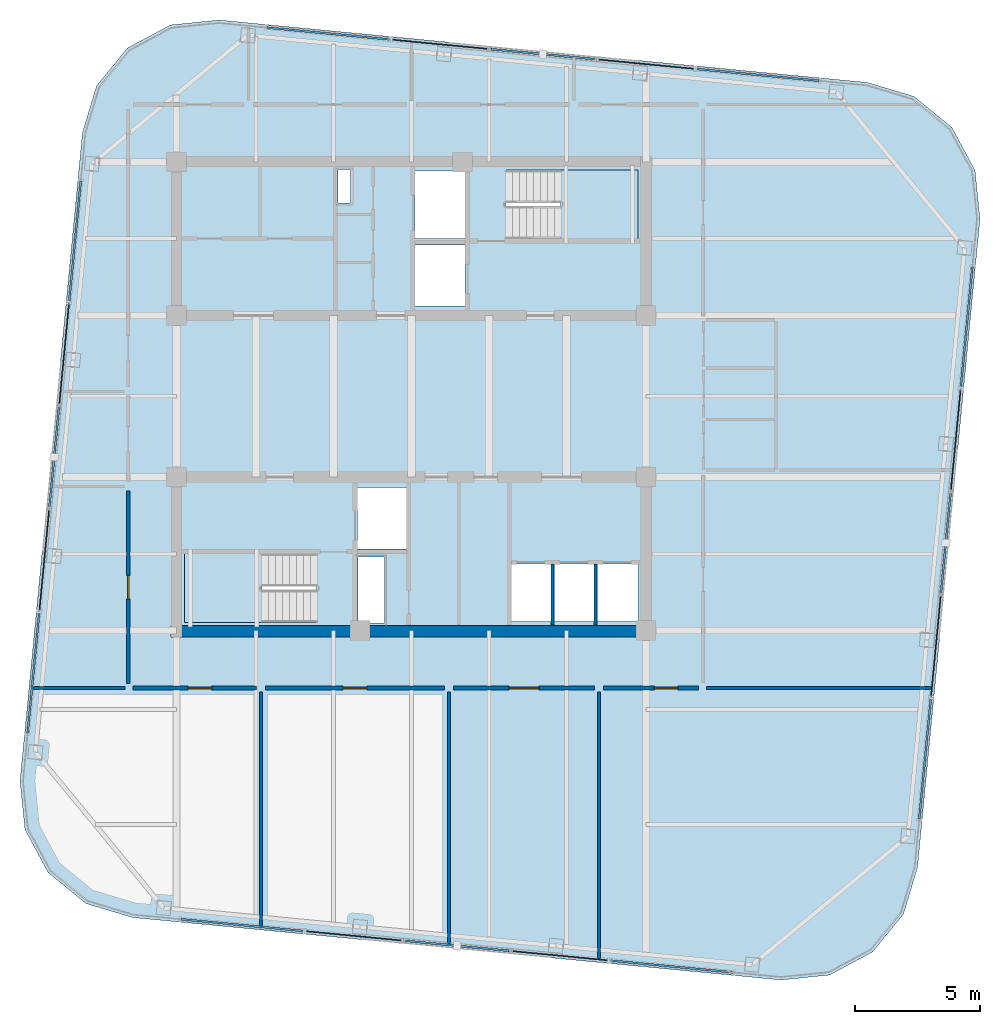
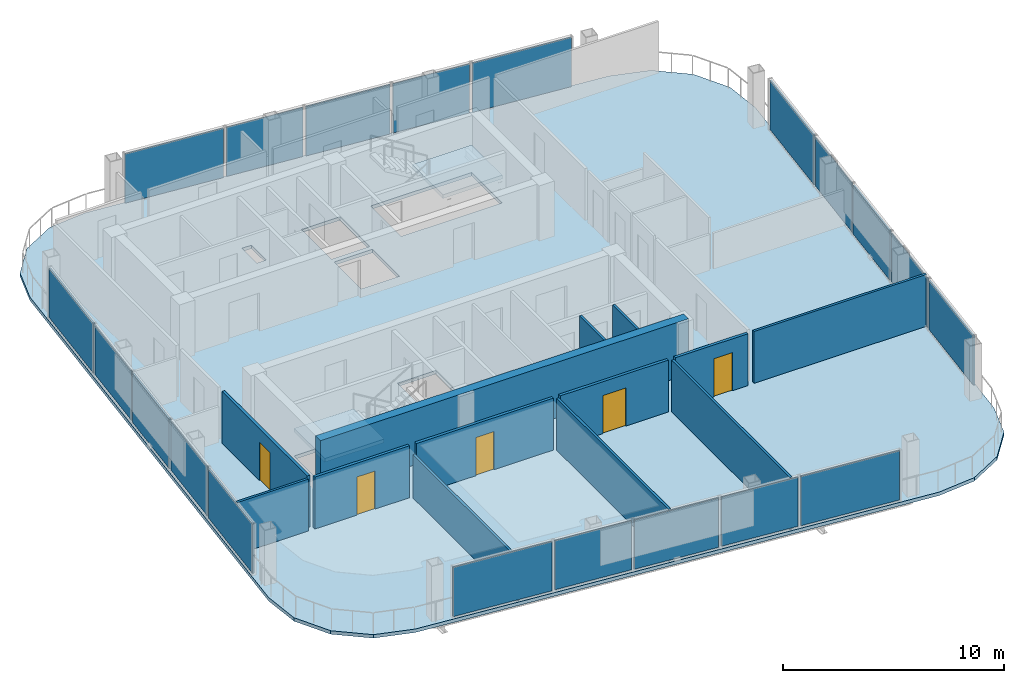
# One storey, part 16 of 23: 20 plates, 13 walls, 5 doors, 3 slabs, 5 openings, 22 elements without a shape of their own.
"""IFC4 building model written with IfcOpenShell, lengths in metres."""

import ifcopenshell
import ifcopenshell.guid

model = None  # the IFC model being written
_history = None  # IfcOwnerHistory: only IFC2X3 demands one
_inside = {}  # id of a spatial element -> (the spatial element, [elements in it])
_under = {}  # id of a project, library or spatial element -> (it, [spatial elements below it])
_declared = {}  # id of a project -> (the project, [libraries it declares])
_typed = {}  # id of a type object -> (the type object, [elements of that type])
_made_of = {}  # id of a material, layer set ... -> (it, [elements and type objects made of it])


def new_model(schema):
    """Start an empty IFC model of exactly this schema.

    Asked for "IFC4X3", IfcOpenShell would pick the latest addendum, in which some entities
    have other attributes; the version numbers below select the first issue.
    IFC2X3 requires an IfcOwnerHistory on every rooted entity: one is made here for all.
    """
    global model, _history
    if schema == "IFC4X3":
        model = ifcopenshell.file(schema_version=(4, 3, 0, 0))
    else:
        model = ifcopenshell.file(schema=schema)
    _inside.clear()
    _under.clear()
    _declared.clear()
    _typed.clear()
    _made_of.clear()
    _history = None
    if model.schema == "IFC2X3":
        org = make("IfcOrganization", Name="unknown")
        user = make(
            "IfcPersonAndOrganization",
            ThePerson=make("IfcPerson", FamilyName="unknown"),
            TheOrganization=org,
        )
        app = make(
            "IfcApplication",
            ApplicationDeveloper=org,
            Version="unknown",
            ApplicationFullName="unknown",
            ApplicationIdentifier="unknown",
        )
        _history = make(
            "IfcOwnerHistory",
            OwningUser=user,
            OwningApplication=app,
            ChangeAction="ADDED",
            CreationDate=0,
        )
    return model


def make(cls, **values):
    """One entity of the class cls with the attributes given. An attribute that is None is left unset."""
    return model.create_entity(
        cls, **{name: value for name, value in values.items() if value is not None}
    )


def rooted(cls, **values):
    """An entity with a GlobalId (a new one), such as an element, a storey or a relation."""
    return make(cls, GlobalId=ifcopenshell.guid.new(), OwnerHistory=_history, **values)


def si_unit(unit_type, name, prefix=None):
    """IfcSIUnit, for example si_unit("LENGTHUNIT", "METRE", prefix="MILLI")."""
    return make("IfcSIUnit", UnitType=unit_type, Prefix=prefix, Name=name)


def assignment(units):
    """IfcUnitAssignment: the units of a project."""
    return None if units is None else make("IfcUnitAssignment", Units=units)


def point(xyz):
    """IfcCartesianPoint."""
    return None if xyz is None else make("IfcCartesianPoint", Coordinates=xyz)


def direction(xyz):
    """IfcDirection."""
    return None if xyz is None else make("IfcDirection", DirectionRatios=xyz)


def frame(location, z_axis=None, x_axis=None):
    """IfcAxis2Placement3D, a coordinate frame: its origin and axes. An axis left out is left unset."""
    return make(
        "IfcAxis2Placement3D",
        Location=point(location),
        Axis=direction(z_axis),
        RefDirection=direction(x_axis),
    )


def frame_2d(location, x_axis=None):
    """IfcAxis2Placement2D, a coordinate frame in the plane: its origin and x axis."""
    return make(
        "IfcAxis2Placement2D", Location=point(location), RefDirection=direction(x_axis)
    )


def origin():
    """The frame at (0, 0, 0) with its axes left unset."""
    return frame((0.0, 0.0, 0.0))


def origin_2d():
    """The frame at (0, 0) in the plane with its x axis left unset."""
    return frame_2d((0.0, 0.0))


def place(relative_to, where):
    """IfcLocalPlacement: puts the frame where relative to a parent placement (None: the world)."""
    return make(
        "IfcLocalPlacement", PlacementRelTo=relative_to, RelativePlacement=where
    )


def context(
    kind, dimensions, precision=None, world=None, true_north=None, identifier=None
):
    """IfcGeometricRepresentationContext, for example the 3D "Model" context."""
    return make(
        "IfcGeometricRepresentationContext",
        ContextIdentifier=identifier,
        ContextType=kind,
        CoordinateSpaceDimension=dimensions,
        Precision=precision,
        WorldCoordinateSystem=world,
        TrueNorth=true_north,
    )


def subcontext(parent, identifier, kind, view, scale=None):
    """IfcGeometricRepresentationSubContext, for example "Body" below "Model"."""
    return make(
        "IfcGeometricRepresentationSubContext",
        ContextIdentifier=identifier,
        ContextType=kind,
        ParentContext=parent,
        TargetScale=scale,
        TargetView=view,
    )


def project(units=None, contexts=None):
    """IfcProject with its units and contexts."""
    return rooted(
        "IfcProject",
        Name="project",
        RepresentationContexts=contexts,
        UnitsInContext=assignment(units),
    )


def spatial(cls, under=None, at=None, **own):
    """A site, building, storey or space (cls), placed at a placement, below another one or the project."""
    s = rooted(cls, ObjectPlacement=at, **own)
    if under is not None:
        _under.setdefault(under.id(), (under, []))[1].append(s)
    return s


def polyline(points):
    """IfcPolyline through the points."""
    return make("IfcPolyline", Points=[point(p) for p in points])


def profile(cls, at=None, kind="AREA", **sizes):
    """A parametric profile (cls). Its sizes go by their IFC names, for example OverallWidth=200.0."""
    return make(cls, ProfileType=kind, Position=at, **sizes)


def rectangle(**sizes):
    """IfcRectangleProfileDef."""
    return profile("IfcRectangleProfileDef", **sizes)


def outline(outer, holes=None, kind="AREA"):
    """IfcArbitraryClosedProfileDef: a profile drawn as a closed curve; with holes, ...WithVoids."""
    if holes is None:
        return make("IfcArbitraryClosedProfileDef", ProfileType=kind, OuterCurve=outer)
    return make(
        "IfcArbitraryProfileDefWithVoids",
        ProfileType=kind,
        OuterCurve=outer,
        InnerCurves=holes,
    )


def extrude(swept, where, along, depth):
    """IfcExtrudedAreaSolid: the profile swept, set in the frame where, extruded along a direction by depth."""
    return make(
        "IfcExtrudedAreaSolid",
        SweptArea=swept,
        Position=where,
        ExtrudedDirection=direction(along),
        Depth=depth,
    )


def shape(context_of_items, identifier, shape_type, items):
    """IfcShapeRepresentation: the items that make up one representation, for example the "Body"."""
    return make(
        "IfcShapeRepresentation",
        ContextOfItems=context_of_items,
        RepresentationIdentifier=identifier,
        RepresentationType=shape_type,
        Items=items,
    )


def material(Name=None, Category=None):
    """IfcMaterial."""
    return make("IfcMaterial", Name=Name, Category=Category)


def layer(
    of_material, thickness, ventilated=None, Name=None, Category=None, Priority=None
):
    """IfcMaterialLayer: one layer of a wall or slab, of a material (None: an air gap)."""
    return make(
        "IfcMaterialLayer",
        Material=of_material,
        LayerThickness=thickness,
        IsVentilated=ventilated,
        Name=Name,
        Category=Category,
        Priority=Priority,
    )


def layer_set(layers, Name=None):
    """IfcMaterialLayerSet."""
    return make("IfcMaterialLayerSet", MaterialLayers=layers, LayerSetName=Name)


def made_of(thing, what):
    """Note that an element or type object is made of a material, layer set ...; save() writes the relation."""
    if what is not None:
        _made_of.setdefault(what.id(), (what, []))[1].append(thing)
    return thing


def type_object(cls, material=None, **own):
    """A type object (cls), such as IfcWallType, which elements share."""
    return made_of(rooted(cls, **own), material)


def element(
    cls,
    number,
    at=None,
    inside=None,
    cuts=None,
    type_object=None,
    material=None,
    context=None,
    identifier="Body",
    shape_type=None,
    held_by="IfcProductDefinitionShape",
    body=None,
    shapes=None,
    **own,
):
    """One element of the class cls, such as IfcWall. Its Tag is "e" and its number.

    at: its placement. inside: the storey or other place that contains it. cuts: it is an
    opening in that element (IfcRelVoidsElement). A single representation is given by context,
    identifier, shape_type and body (its items); several are given by shapes. held_by: the class
    of the entity that holds the representations. save() writes the other relations.
    """
    e = rooted(cls, Tag="e%d" % number, ObjectPlacement=at, **own)
    if body is not None:
        shapes = [shape(context, identifier, shape_type, body)]
    if shapes is not None:
        e.Representation = make(held_by, Representations=shapes)
    if inside is not None:
        _inside.setdefault(inside.id(), (inside, []))[1].append(e)
    if cuts is not None:
        rooted(
            "IfcRelVoidsElement", RelatingBuildingElement=cuts, RelatedOpeningElement=e
        )
    if type_object is not None:
        _typed.setdefault(type_object.id(), (type_object, []))[1].append(e)
    return made_of(e, material)


def fill(opening, filler):
    """IfcRelFillsElement: the door or window that sits in an opening."""
    return rooted(
        "IfcRelFillsElement",
        RelatingOpeningElement=opening,
        RelatedBuildingElement=filler,
    )


def aggregate(whole, parts):
    """IfcRelAggregates: a whole, such as a stair, and the parts it consists of."""
    return rooted("IfcRelAggregates", RelatingObject=whole, RelatedObjects=parts)


def save(model, path):
    """Write the relations noted so far, then the file.

    IfcRelAggregates (storeys below a building ...), IfcRelContainedInSpatialStructure (elements
    in a storey), IfcRelDefinesByType, IfcRelAssociatesMaterial and IfcRelDeclares: one each for
    every whole, place, type object, material and project.
    """
    for whole, parts in _under.values():
        aggregate(whole, parts)
    for where, things in _inside.values():
        rooted(
            "IfcRelContainedInSpatialStructure",
            RelatedElements=things,
            RelatingStructure=where,
        )
    for kind, things in _typed.values():
        rooted("IfcRelDefinesByType", RelatedObjects=things, RelatingType=kind)
    for what, things in _made_of.values():
        rooted("IfcRelAssociatesMaterial", RelatedObjects=things, RelatingMaterial=what)
    for by, libraries in _declared.values():
        rooted("IfcRelDeclares", RelatingContext=by, RelatedDefinitions=libraries)
    model.write(path)


model = new_model("IFC4")

# Units and contexts
model_context = context("Model", 3, precision=1e-05, world=origin(), true_north=direction((0.0, 1.0)))
body_context = subcontext(model_context, "Body", "Model", "MODEL_VIEW")
ifc_project = project(units=[si_unit("LENGTHUNIT", "METRE"), si_unit("AREAUNIT", "SQUARE_METRE"), si_unit("VOLUMEUNIT", "CUBIC_METRE"), si_unit("PLANEANGLEUNIT", "RADIAN"), si_unit("MASSUNIT", "GRAM", prefix="KILO")], contexts=[model_context])

# Site, building, storey
site_placement = place(None, origin())
site = spatial("IfcSite", under=ifc_project, at=site_placement, CompositionType="ELEMENT")
building_placement = place(site_placement, origin())
building = spatial("IfcBuilding", under=site, at=building_placement, Name="Qhalaya Broadcast Tower", CompositionType="ELEMENT")
storey_placement = place(building_placement, frame((0.0, 0.0, 264.199951171875)))
storey = spatial("IfcBuildingStorey", under=building, at=storey_placement, Name="L78", CompositionType="ELEMENT", Elevation=264.199951171875)

# Curtain wall, plate
ifc_material_1 = material(Name="Fired Architectural Terracotta", Category="masonry")
ifc_layer_1 = layer(ifc_material_1, 0.219970703125, Name="Fired Architectural Terracotta")
ifc_layer_set_1 = layer_set([ifc_layer_1], Name="Fired Architectural Terracotta")
curtain_wall_type_1 = type_object("IfcCurtainWallType", Name="Block-Cap Unitised Terracotta Spandrel Wall CW-07", PredefinedType="NOTDEFINED", material=ifc_layer_set_1)
curtain_wall_1_placement = place(storey_placement, origin())
curtain_wall_1 = element("IfcCurtainWall", 1, at=curtain_wall_1_placement, inside=storey, type_object=curtain_wall_type_1, Name="L78 Unitised Curtain Wall L78-CW-S1", PredefinedType="NOTDEFINED")
ifc_layer_2 = layer(ifc_material_1, 0.080078125, Name="Fired Architectural Terracotta")
ifc_layer_set_2 = layer_set([ifc_layer_2], Name="Fired Architectural Terracotta")
plate_type_1 = type_object("IfcPlateType", Name="Insulated Terracotta Spandrel Panel TSP-07", PredefinedType="CURTAIN_PANEL", material=ifc_layer_set_2)
plate_1_placement = place(storey_placement, frame((-6.761474609375, -20.5107421875, 0.074951171875), z_axis=(0.0, 0.0, 1.0), x_axis=(0.995395145786, -0.09585668336, 0.0)))
plate_1 = element("IfcPlate", 2, at=plate_1_placement, type_object=plate_type_1, Name="CW-07 panel 1.1", PredefinedType="CURTAIN_PANEL", context=body_context, shape_type="SweptSolid", body=[
    extrude(rectangle(XDim=4.89501953125, YDim=0.080078125, at=origin_2d()), origin(), (0.0, 0.0, 1.0), 2.7099609375),
])
aggregate(curtain_wall_1, [plate_1])

curtain_wall_2_placement = place(storey_placement, origin())
curtain_wall_2 = element("IfcCurtainWall", 3, at=curtain_wall_2_placement, inside=storey, type_object=curtain_wall_type_1, Name="L78 Unitised Curtain Wall L78-CW-S3", PredefinedType="NOTDEFINED")
plate_2_placement = place(storey_placement, frame((1.826171875, -21.337646484375, 0.074951171875), z_axis=(0.0, 0.0, 1.0), x_axis=(0.995397029971, -0.095837115594, 0.0)))
plate_2 = element("IfcPlate", 4, at=plate_2_placement, type_object=plate_type_1, Name="CW-07 panel 1.1", PredefinedType="CURTAIN_PANEL", context=body_context, shape_type="SweptSolid", body=[
    extrude(rectangle(XDim=4.174072265625, YDim=0.080078125, at=origin_2d()), origin(), (0.0, 0.0, 1.0), 2.7099609375),
])
aggregate(curtain_wall_2, [plate_2])

curtain_wall_3_placement = place(storey_placement, origin())
curtain_wall_3 = element("IfcCurtainWall", 5, at=curtain_wall_3_placement, inside=storey, type_object=curtain_wall_type_1, Name="L78 Unitised Curtain Wall L78-CW-S5", PredefinedType="NOTDEFINED")
plate_3_placement = place(storey_placement, frame((10.4140625, -22.16455078125, 0.074951171875), z_axis=(0.0, 0.0, 1.0), x_axis=(0.995396854807, -0.095838934889, 0.0)))
plate_3 = element("IfcPlate", 6, at=plate_3_placement, type_object=plate_type_1, Name="CW-07 panel 1.1", PredefinedType="CURTAIN_PANEL", context=body_context, shape_type="SweptSolid", body=[
    extrude(rectangle(XDim=4.89501953125, YDim=0.080078125, at=origin_2d()), origin(), (0.0, 0.0, 1.0), 2.7099609375),
])
aggregate(curtain_wall_3, [plate_3])

curtain_wall_4_placement = place(storey_placement, origin())
curtain_wall_4 = element("IfcCurtainWall", 7, at=curtain_wall_4_placement, inside=storey, type_object=curtain_wall_type_1, Name="L78 Unitised Curtain Wall L78-CW-E1", PredefinedType="NOTDEFINED")
plate_4_placement = place(storey_placement, frame((20.50634765625, -13.8876953125, 0.074951171875), z_axis=(0.0, 0.0, 1.0), x_axis=(0.095840154905, 0.99539673734, 0.0)))
plate_4 = element("IfcPlate", 8, at=plate_4_placement, type_object=plate_type_1, Name="CW-07 panel 1.1", PredefinedType="CURTAIN_PANEL", context=body_context, shape_type="SweptSolid", body=[
    extrude(rectangle(XDim=4.802001953125, YDim=0.080078125, at=origin_2d()), origin(), (0.0, 0.0, 1.0), 2.7099609375),
])
aggregate(curtain_wall_4, [plate_4])

curtain_wall_5_placement = place(storey_placement, origin())
curtain_wall_5 = element("IfcCurtainWall", 9, at=curtain_wall_5_placement, inside=storey, type_object=curtain_wall_type_1, Name="L78 Unitised Curtain Wall L78-CW-E3", PredefinedType="NOTDEFINED")
plate_5_placement = place(storey_placement, frame((21.337646484375, -5.253662109375, 0.074951171875), z_axis=(0.0, 0.0, 1.0), x_axis=(0.095842786142, 0.995396483992, 0.0)))
plate_5 = element("IfcPlate", 10, at=plate_5_placement, type_object=plate_type_1, Name="CW-07 panel 1.1", PredefinedType="CURTAIN_PANEL", context=body_context, shape_type="SweptSolid", body=[
    extrude(rectangle(XDim=3.98583984375, YDim=0.080078125, at=origin_2d()), origin(), (0.0, 0.0, 1.0), 2.7099609375),
])
aggregate(curtain_wall_5, [plate_5])

curtain_wall_6_placement = place(storey_placement, origin())
curtain_wall_6 = element("IfcCurtainWall", 11, at=curtain_wall_6_placement, inside=storey, type_object=curtain_wall_type_1, Name="L78 Unitised Curtain Wall L78-CW-E5", PredefinedType="NOTDEFINED")
plate_6_placement = place(storey_placement, frame((22.169189453125, 3.38037109375, 0.074951171875), z_axis=(0.0, 0.0, 1.0), x_axis=(0.095840154905, 0.99539673734, 0.0)))
plate_6 = element("IfcPlate", 12, at=plate_6_placement, type_object=plate_type_1, Name="CW-07 panel 1.1", PredefinedType="CURTAIN_PANEL", context=body_context, shape_type="SweptSolid", body=[
    extrude(rectangle(XDim=4.802001953125, YDim=0.080078125, at=origin_2d()), origin(), (0.0, 0.0, 1.0), 2.7099609375),
])
aggregate(curtain_wall_6, [plate_6])

curtain_wall_7_placement = place(storey_placement, origin())
curtain_wall_7 = element("IfcCurtainWall", 13, at=curtain_wall_7_placement, inside=storey, type_object=curtain_wall_type_1, Name="L78 Unitised Curtain Wall L78-CW-N1", PredefinedType="NOTDEFINED")
plate_7_placement = place(storey_placement, frame((13.841552734375, 13.430908203125, 0.074951171875), z_axis=(0.0, 0.0, 1.0), x_axis=(-0.995395145786, 0.09585668336, 0.0)))
plate_7 = element("IfcPlate", 14, at=plate_7_placement, type_object=plate_type_1, Name="CW-07 panel 1.1", PredefinedType="CURTAIN_PANEL", context=body_context, shape_type="SweptSolid", body=[
    extrude(rectangle(XDim=4.89501953125, YDim=0.080078125, at=origin_2d()), origin(), (0.0, 0.0, 1.0), 2.7099609375),
])
aggregate(curtain_wall_7, [plate_7])

curtain_wall_8_placement = place(storey_placement, origin())
curtain_wall_8 = element("IfcCurtainWall", 15, at=curtain_wall_8_placement, inside=storey, type_object=curtain_wall_type_1, Name="L78 Unitised Curtain Wall L78-CW-N3", PredefinedType="NOTDEFINED")
plate_8_placement = place(storey_placement, frame((5.253662109375, 14.2578125, 0.074951171875), z_axis=(0.0, 0.0, 1.0), x_axis=(-0.995397029971, 0.095837115594, 0.0)))
plate_8 = element("IfcPlate", 16, at=plate_8_placement, type_object=plate_type_1, Name="CW-07 panel 1.1", PredefinedType="CURTAIN_PANEL", context=body_context, shape_type="SweptSolid", body=[
    extrude(rectangle(XDim=4.174072265625, YDim=0.080078125, at=origin_2d()), origin(), (0.0, 0.0, 1.0), 2.7099609375),
])
aggregate(curtain_wall_8, [plate_8])

curtain_wall_9_placement = place(storey_placement, origin())
curtain_wall_9 = element("IfcCurtainWall", 17, at=curtain_wall_9_placement, inside=storey, type_object=curtain_wall_type_1, Name="L78 Unitised Curtain Wall L78-CW-N5", PredefinedType="NOTDEFINED")
plate_9_placement = place(storey_placement, frame((-3.333984375, 15.084716796875, 0.074951171875), z_axis=(0.0, 0.0, 1.0), x_axis=(-0.995396854807, 0.095838934889, 0.0)))
plate_9 = element("IfcPlate", 18, at=plate_9_placement, type_object=plate_type_1, Name="CW-07 panel 1.1", PredefinedType="CURTAIN_PANEL", context=body_context, shape_type="SweptSolid", body=[
    extrude(rectangle(XDim=4.89501953125, YDim=0.080078125, at=origin_2d()), origin(), (0.0, 0.0, 1.0), 2.7099609375),
])
aggregate(curtain_wall_9, [plate_9])

curtain_wall_10_placement = place(storey_placement, origin())
curtain_wall_10 = element("IfcCurtainWall", 19, at=curtain_wall_10_placement, inside=storey, type_object=curtain_wall_type_1, Name="L78 Unitised Curtain Wall L78-CW-W1", PredefinedType="NOTDEFINED")
plate_10_placement = place(storey_placement, frame((-13.42626953125, 6.807861328125, 0.074951171875), z_axis=(0.0, 0.0, 1.0), x_axis=(-0.095840154905, -0.99539673734, 0.0)))
plate_10 = element("IfcPlate", 20, at=plate_10_placement, type_object=plate_type_1, Name="CW-07 panel 1.1", PredefinedType="CURTAIN_PANEL", context=body_context, shape_type="SweptSolid", body=[
    extrude(rectangle(XDim=4.802001953125, YDim=0.080078125, at=origin_2d()), origin(), (0.0, 0.0, 1.0), 2.7099609375),
])
aggregate(curtain_wall_10, [plate_10])

curtain_wall_11_placement = place(storey_placement, origin())
curtain_wall_11 = element("IfcCurtainWall", 21, at=curtain_wall_11_placement, inside=storey, type_object=curtain_wall_type_1, Name="L78 Unitised Curtain Wall L78-CW-W3", PredefinedType="NOTDEFINED")
plate_11_placement = place(storey_placement, frame((-14.2578125, -1.826171875, 0.074951171875), z_axis=(0.0, 0.0, 1.0), x_axis=(-0.095842786142, -0.995396483992, 0.0)))
plate_11 = element("IfcPlate", 22, at=plate_11_placement, type_object=plate_type_1, Name="CW-07 panel 1.1", PredefinedType="CURTAIN_PANEL", context=body_context, shape_type="SweptSolid", body=[
    extrude(rectangle(XDim=3.98583984375, YDim=0.080078125, at=origin_2d()), origin(), (0.0, 0.0, 1.0), 2.7099609375),
])
aggregate(curtain_wall_11, [plate_11])

curtain_wall_12_placement = place(storey_placement, origin())
curtain_wall_12 = element("IfcCurtainWall", 23, at=curtain_wall_12_placement, inside=storey, type_object=curtain_wall_type_1, Name="L78 Unitised Curtain Wall L78-CW-W5", PredefinedType="NOTDEFINED")
plate_12_placement = place(storey_placement, frame((-15.089111328125, -10.460205078125, 0.074951171875), z_axis=(0.0, 0.0, 1.0), x_axis=(-0.095840154905, -0.99539673734, 0.0)))
plate_12 = element("IfcPlate", 24, at=plate_12_placement, type_object=plate_type_1, Name="CW-07 panel 1.1", PredefinedType="CURTAIN_PANEL", context=body_context, shape_type="SweptSolid", body=[
    extrude(rectangle(XDim=4.802001953125, YDim=0.080078125, at=origin_2d()), origin(), (0.0, 0.0, 1.0), 2.7099609375),
])
aggregate(curtain_wall_12, [plate_12])

ifc_material_2 = material(Name="Solar-Control Low-E Triple Glazing", Category="glass")
ifc_layer_3 = layer(ifc_material_2, 0.219970703125, Name="Solar-Control Low-E Triple Glazing")
ifc_layer_set_3 = layer_set([ifc_layer_3], Name="Solar-Control Low-E Triple Glazing")
curtain_wall_type_2 = type_object("IfcCurtainWallType", Name="High-Altitude Upper-Shaft Triple Low-E Curtain Wall CW-04", PredefinedType="NOTDEFINED", material=ifc_layer_set_3)
curtain_wall_13_placement = place(storey_placement, origin())
curtain_wall_13 = element("IfcCurtainWall", 25, at=curtain_wall_13_placement, inside=storey, type_object=curtain_wall_type_2, Name="L78 Unitised Curtain Wall L78-CW-S2", PredefinedType="NOTDEFINED")
ifc_layer_4 = layer(ifc_material_2, 0.0419921875, Name="Solar-Control Low-E Triple Glazing")
ifc_layer_set_4 = layer_set([ifc_layer_4], Name="Solar-Control Low-E Triple Glazing")
plate_type_2 = type_object("IfcPlateType", Name="Solar-Control Curtain Glazing Panel GLP-04", PredefinedType="CURTAIN_PANEL", material=ifc_layer_set_4)
plate_13_placement = place(storey_placement, frame((-2.2880859375, -20.941650390625, 0.074951171875), z_axis=(0.0, 0.0, 1.0), x_axis=(0.995396567507, -0.09584191878, 0.0)))
plate_13 = element("IfcPlate", 26, at=plate_13_placement, type_object=plate_type_2, Name="CW-04 panel 1.1", PredefinedType="CURTAIN_PANEL", context=body_context, shape_type="SweptSolid", body=[
    extrude(rectangle(XDim=3.79296875, YDim=0.0419921875, at=origin_2d()), origin(), (0.0, 0.0, 1.0), 2.7099609375),
])
aggregate(curtain_wall_13, [plate_13])

curtain_wall_14_placement = place(storey_placement, origin())
curtain_wall_14 = element("IfcCurtainWall", 27, at=curtain_wall_14_placement, inside=storey, type_object=curtain_wall_type_2, Name="L78 Unitised Curtain Wall L78-CW-S4", PredefinedType="NOTDEFINED")
plate_14_placement = place(storey_placement, frame((5.940673828125, -21.73388671875, 0.074951171875), z_axis=(0.0, 0.0, 1.0), x_axis=(0.995394380747, -0.095864627352, 0.0)))
plate_14 = element("IfcPlate", 28, at=plate_14_placement, type_object=plate_type_2, Name="CW-04 panel 1.1", PredefinedType="CURTAIN_PANEL", context=body_context, shape_type="SweptSolid", body=[
    extrude(rectangle(XDim=3.79296875, YDim=0.0419921875, at=origin_2d()), origin(), (0.0, 0.0, 1.0), 2.7099609375),
])
aggregate(curtain_wall_14, [plate_14])

curtain_wall_15_placement = place(storey_placement, origin())
curtain_wall_15 = element("IfcCurtainWall", 29, at=curtain_wall_15_placement, inside=storey, type_object=curtain_wall_type_2, Name="L78 Unitised Curtain Wall L78-CW-E2", PredefinedType="NOTDEFINED")
plate_15_placement = place(storey_placement, frame((20.941650390625, -9.36767578125, 0.074951171875), z_axis=(0.0, 0.0, 1.0), x_axis=(0.095859120729, 0.995394911064, 0.0)))
plate_15 = element("IfcPlate", 30, at=plate_15_placement, type_object=plate_type_2, Name="CW-04 panel 1.1", PredefinedType="CURTAIN_PANEL", context=body_context, shape_type="SweptSolid", body=[
    extrude(rectangle(XDim=3.97998046875, YDim=0.0419921875, at=origin_2d()), origin(), (0.0, 0.0, 1.0), 2.7099609375),
])
aggregate(curtain_wall_15, [plate_15])

curtain_wall_16_placement = place(storey_placement, origin())
curtain_wall_16 = element("IfcCurtainWall", 31, at=curtain_wall_16_placement, inside=storey, type_object=curtain_wall_type_2, Name="L78 Unitised Curtain Wall L78-CW-E4", PredefinedType="NOTDEFINED")
plate_16_placement = place(storey_placement, frame((21.73388671875, -1.139892578125, 0.074951171875), z_axis=(0.0, 0.0, 1.0), x_axis=(0.095859120729, 0.995394911064, 0.0)))
plate_16 = element("IfcPlate", 32, at=plate_16_placement, type_object=plate_type_2, Name="CW-04 panel 1.1", PredefinedType="CURTAIN_PANEL", context=body_context, shape_type="SweptSolid", body=[
    extrude(rectangle(XDim=3.97998046875, YDim=0.0419921875, at=origin_2d()), origin(), (0.0, 0.0, 1.0), 2.7099609375),
])
aggregate(curtain_wall_16, [plate_16])

curtain_wall_17_placement = place(storey_placement, origin())
curtain_wall_17 = element("IfcCurtainWall", 33, at=curtain_wall_17_placement, inside=storey, type_object=curtain_wall_type_2, Name="L78 Unitised Curtain Wall L78-CW-N2", PredefinedType="NOTDEFINED")
plate_17_placement = place(storey_placement, frame((9.3681640625, 13.861572265625, 0.074951171875), z_axis=(0.0, 0.0, 1.0), x_axis=(-0.995396567507, 0.09584191878, 0.0)))
plate_17 = element("IfcPlate", 34, at=plate_17_placement, type_object=plate_type_2, Name="CW-04 panel 1.1", PredefinedType="CURTAIN_PANEL", context=body_context, shape_type="SweptSolid", body=[
    extrude(rectangle(XDim=3.79296875, YDim=0.0419921875, at=origin_2d()), origin(), (0.0, 0.0, 1.0), 2.7099609375),
])
aggregate(curtain_wall_17, [plate_17])

curtain_wall_18_placement = place(storey_placement, origin())
curtain_wall_18 = element("IfcCurtainWall", 35, at=curtain_wall_18_placement, inside=storey, type_object=curtain_wall_type_2, Name="L78 Unitised Curtain Wall L78-CW-N4", PredefinedType="NOTDEFINED")
plate_18_placement = place(storey_placement, frame((1.13916015625, 14.65380859375, 0.074951171875), z_axis=(0.0, 0.0, 1.0), x_axis=(-0.995394380747, 0.095864627352, 0.0)))
plate_18 = element("IfcPlate", 36, at=plate_18_placement, type_object=plate_type_2, Name="CW-04 panel 1.1", PredefinedType="CURTAIN_PANEL", context=body_context, shape_type="SweptSolid", body=[
    extrude(rectangle(XDim=3.79296875, YDim=0.0419921875, at=origin_2d()), origin(), (0.0, 0.0, 1.0), 2.7099609375),
])
aggregate(curtain_wall_18, [plate_18])

curtain_wall_19_placement = place(storey_placement, origin())
curtain_wall_19 = element("IfcCurtainWall", 37, at=curtain_wall_19_placement, inside=storey, type_object=curtain_wall_type_2, Name="L78 Unitised Curtain Wall L78-CW-W2", PredefinedType="NOTDEFINED")
plate_19_placement = place(storey_placement, frame((-13.861572265625, 2.28759765625, 0.074951171875), z_axis=(0.0, 0.0, 1.0), x_axis=(-0.095859120729, -0.995394911064, 0.0)))
plate_19 = element("IfcPlate", 38, at=plate_19_placement, type_object=plate_type_2, Name="CW-04 panel 1.1", PredefinedType="CURTAIN_PANEL", context=body_context, shape_type="SweptSolid", body=[
    extrude(rectangle(XDim=3.97998046875, YDim=0.0419921875, at=origin_2d()), origin(), (0.0, 0.0, 1.0), 2.7099609375),
])
aggregate(curtain_wall_19, [plate_19])

curtain_wall_20_placement = place(storey_placement, origin())
curtain_wall_20 = element("IfcCurtainWall", 39, at=curtain_wall_20_placement, inside=storey, type_object=curtain_wall_type_2, Name="L78 Unitised Curtain Wall L78-CW-W4", PredefinedType="NOTDEFINED")
plate_20_placement = place(storey_placement, frame((-14.65380859375, -5.940185546875, 0.074951171875), z_axis=(0.0, 0.0, 1.0), x_axis=(-0.095859120729, -0.995394911064, 0.0)))
plate_20 = element("IfcPlate", 40, at=plate_20_placement, type_object=plate_type_2, Name="CW-04 panel 1.1", PredefinedType="CURTAIN_PANEL", context=body_context, shape_type="SweptSolid", body=[
    extrude(rectangle(XDim=3.97998046875, YDim=0.0419921875, at=origin_2d()), origin(), (0.0, 0.0, 1.0), 2.7099609375),
])
aggregate(curtain_wall_20, [plate_20])

# Stair, slab
ifc_material_3 = material(Name="Concrete C40/50", Category="concrete")
stair_type = type_object("IfcStairType", Name="Protected Dogleg Core Stair 3150", PredefinedType="TWO_STRAIGHT_RUN_STAIR", material=ifc_material_3)
stair_1_placement = place(storey_placement, origin())
stair_1 = element("IfcStair", 41, at=stair_1_placement, inside=storey, type_object=stair_type, Name="L78 North Core Exit Stair ST-1", PredefinedType="TWO_STRAIGHT_RUN_STAIR")
ifc_layer_5 = layer(ifc_material_3, 0.199951171875, Name="Concrete C40/50")
ifc_layer_set_5 = layer_set([ifc_layer_5], Name="Concrete C40/50")
slab_type_1 = type_object("IfcSlabType", Name="Stair & Ramp Half-Landing Slab 200", PredefinedType="LANDING", material=ifc_layer_set_5)
slab_1_placement = place(storey_placement, frame((0.0, 0.0, 1.324951171875)))
slab_1 = element("IfcSlab", 42, at=slab_1_placement, type_object=slab_type_1, Name="ST-1 landing 1", PredefinedType="LANDING", context=body_context, shape_type="SweptSolid", body=[
    extrude(outline(polyline([(5.955078125, 6.8798828125), (9.050048828125, 6.8798828125), (9.050048828125, 9.639892578125), (5.955078125, 9.639892578125), (5.955078125, 6.8798828125)])), origin(), (0.0, 0.0, 1.0), 0.2001953125),
])
aggregate(stair_1, [slab_1])

stair_2_placement = place(storey_placement, origin())
stair_2 = element("IfcStair", 43, at=stair_2_placement, inside=storey, type_object=stair_type, Name="L78 South Core Exit Stair ST-2", PredefinedType="TWO_STRAIGHT_RUN_STAIR")
slab_2_placement = place(storey_placement, frame((0.0, 0.0, 1.324951171875)))
slab_2 = element("IfcSlab", 44, at=slab_2_placement, type_object=slab_type_1, Name="ST-2 landing 1", PredefinedType="LANDING", context=body_context, shape_type="SweptSolid", body=[
    extrude(outline(polyline([(-5.955078125, -5.679931640625), (-9.050048828125, -5.679931640625), (-9.050048828125, -8.43994140625), (-5.955078125, -8.43994140625), (-5.955078125, -5.679931640625)])), origin(), (0.0, 0.0, 1.0), 0.2001953125),
])
aggregate(stair_2, [slab_2])

# Slab
ifc_layer_6 = layer(ifc_material_3, 0.18994140625, Name="Concrete C40/50")
ifc_layer_set_6 = layer_set([ifc_layer_6], Name="Concrete C40/50")
slab_type_2 = type_object("IfcSlabType", Name="Upper Tower Composite Floor Slab 190", PredefinedType="FLOOR", material=ifc_layer_set_6)
slab_3_placement = place(storey_placement, frame((0.0, 0.0, -0.18994140625)))
element("IfcSlab", 45, at=slab_3_placement, inside=storey, type_object=slab_type_2, Name="L78 Main Structural Floor Slab", PredefinedType="FLOOR", context=body_context, shape_type="SweptSolid", body=[
    extrude(outline(polyline([(14.7548828125, -22.703125), (16.696044921875, -22.5078125), (18.41455078125, -21.584228515625), (19.64892578125, -20.073486328125), (20.211181640625, -18.205322265625), (22.703125, 7.6748046875), (22.5078125, 9.615966796875), (21.584228515625, 11.33447265625), (20.073486328125, 12.56884765625), (18.205322265625, 13.131103515625), (-7.6748046875, 15.623046875), (-9.615966796875, 15.427734375), (-11.33447265625, 14.50439453125), (-12.56884765625, 12.993408203125), (-13.131103515625, 11.12548828125), (-15.623046875, -14.7548828125), (-15.427734375, -16.696044921875), (-14.50439453125, -18.41455078125), (-12.993408203125, -19.64892578125), (-11.12548828125, -20.211181640625), (14.7548828125, -22.703125)]), holes=[polyline([(3.784912109375, 9.639892578125), (9.050048828125, 9.639892578125), (9.050048828125, 6.8798828125), (3.784912109375, 6.8798828125), (3.784912109375, 9.639892578125)]), polyline([(-3.784912109375, -8.43994140625), (-9.050048828125, -8.43994140625), (-9.050048828125, -5.679931640625), (-3.784912109375, -5.679931640625), (-3.784912109375, -8.43994140625)]), polyline([(0.14990234375, 6.64990234375), (2.14990234375, 6.64990234375), (2.14990234375, 4.199951171875), (0.14990234375, 4.199951171875), (0.14990234375, 6.64990234375)]), polyline([(0.14990234375, 9.60009765625), (2.14990234375, 9.60009765625), (2.14990234375, 6.89990234375), (0.14990234375, 6.89990234375), (0.14990234375, 9.60009765625)]), polyline([(-2.14990234375, -3.050048828125), (-0.14990234375, -3.050048828125), (-0.14990234375, -5.5), (-2.14990234375, -5.5), (-2.14990234375, -3.050048828125)]), polyline([(4.0, -6.10009765625), (5.60009765625, -6.10009765625), (5.60009765625, -8.39990234375), (4.0, -8.39990234375), (4.0, -6.10009765625)]), polyline([(5.719970703125, -6.10009765625), (7.320068359375, -6.10009765625), (7.320068359375, -8.39990234375), (5.719970703125, -8.39990234375), (5.719970703125, -6.10009765625)]), polyline([(7.43994140625, -6.10009765625), (9.0400390625, -6.10009765625), (9.0400390625, -8.39990234375), (7.43994140625, -8.39990234375), (7.43994140625, -6.10009765625)]), polyline([(-2.919921875, 9.659912109375), (-2.419921875, 9.659912109375), (-2.419921875, 8.320068359375), (-2.919921875, 8.320068359375), (-2.919921875, 9.659912109375)]), polyline([(-2.1201171875, -5.820068359375), (-1.080078125, -5.820068359375), (-1.080078125, -8.4599609375), (-2.1201171875, -8.4599609375), (-2.1201171875, -5.820068359375)])]), origin(), (0.0, 0.0, 1.0), 0.18994140625),
])

# Wall, opening, door
ifc_material_4 = material(Name="Gypsum Acoustic Partition")
ifc_layer_7 = layer(ifc_material_4, 0.14990234375, Name="Gypsum Acoustic Partition")
ifc_layer_set_7 = layer_set([ifc_layer_7], Name="Gypsum Acoustic Partition")
wall_type_1 = type_object("IfcWallType", Name="Corridor & Tenancy Acoustic Partition 150", PredefinedType="PARTITIONING", material=ifc_layer_set_7)
wall_1_placement = place(storey_placement, frame((-11.1201171875, -11.050048828125, 0.0), z_axis=(0.0, 0.0, 1.0), x_axis=(1.0, 0.0, 0.0)))
wall_1 = element("IfcWall", 46, at=wall_1_placement, inside=storey, type_object=wall_type_1, Name="L78 Partition Wall W-COR-05", PredefinedType="PARTITIONING", context=body_context, shape_type="SweptSolid", body=[
    extrude(rectangle(XDim=4.940185546875, YDim=0.14990234375, at=frame_2d((2.47021484375, 0.0))), origin(), (0.0, 0.0, 1.0), 2.860107421875),
])
opening_1_placement = place(wall_1_placement, frame((2.195068359375, 0.0, 0.0)))
opening_1 = element("IfcOpeningElement", 47, at=opening_1_placement, cuts=wall_1, Name="Opening D10", PredefinedType="OPENING", context=body_context, shape_type="SweptSolid", body=[
    extrude(rectangle(XDim=0.949951171875, YDim=2.10009765625, at=frame_2d((0.47509765625, 1.050048828125))), frame((0.0, 0.0869140625, 0.0), z_axis=(0.0, -1.0, 0.0), x_axis=(1.0, 0.0, 0.0)), (0.0, 0.0, 1.0), 0.173828125),
])
ifc_material_5 = material(Name="Timber Veneer Acoustic Door", Category="wood")
door_type_1 = type_object("IfcDoorType", Name="Cellular Office & Edit Booth Door D10", OperationType="NOTDEFINED", PredefinedType="DOOR", material=ifc_material_5)
door_1_placement = place(opening_1_placement, origin())
door_1 = element("IfcDoor", 48, at=door_1_placement, inside=storey, type_object=door_type_1, Name="L78 Door D-RM05", OperationType="SINGLE_SWING_RIGHT", OverallHeight=2.10009765625, OverallWidth=0.949951171875, PredefinedType="DOOR", context=body_context, shape_type="SweptSolid", body=[
    extrude(rectangle(XDim=0.949951171875, YDim=2.10009765625, at=frame_2d((0.47509765625, 1.050048828125))), frame((0.0, 0.02490234375, 0.0), z_axis=(0.0, -1.0, 0.0), x_axis=(1.0, 0.0, 0.0)), (0.0, 0.0, 1.0), 0.050048828125),
])
fill(opening_1, door_1)

wall_2_placement = place(storey_placement, frame((-5.820068359375, -11.050048828125, 0.0), z_axis=(0.0, 0.0, 1.0), x_axis=(1.0, 0.0, 0.0)))
wall_2 = element("IfcWall", 49, at=wall_2_placement, inside=storey, type_object=wall_type_1, Name="L78 Partition Wall W-COR-06", PredefinedType="PARTITIONING", context=body_context, shape_type="SweptSolid", body=[
    extrude(rectangle(XDim=7.14013671875, YDim=0.14990234375, at=frame_2d((3.570068359375, 0.0))), origin(), (0.0, 0.0, 1.0), 2.860107421875),
])
opening_2_placement = place(wall_2_placement, frame((3.094970703125, 0.0, 0.0)))
opening_2 = element("IfcOpeningElement", 50, at=opening_2_placement, cuts=wall_2, Name="Opening D10", PredefinedType="OPENING", context=body_context, shape_type="SweptSolid", body=[
    extrude(rectangle(XDim=0.949951171875, YDim=2.10009765625, at=frame_2d((0.47509765625, 1.050048828125))), frame((0.0, 0.0869140625, 0.0), z_axis=(0.0, -1.0, 0.0), x_axis=(1.0, 0.0, 0.0)), (0.0, 0.0, 1.0), 0.173828125),
])
door_2_placement = place(opening_2_placement, origin())
door_2 = element("IfcDoor", 51, at=door_2_placement, inside=storey, type_object=door_type_1, Name="L78 Door D-RM06", OperationType="SINGLE_SWING_LEFT", OverallHeight=2.10009765625, OverallWidth=0.949951171875, PredefinedType="DOOR", context=body_context, shape_type="SweptSolid", body=[
    extrude(rectangle(XDim=0.949951171875, YDim=2.10009765625, at=frame_2d((0.47509765625, 1.050048828125))), frame((0.0, 0.02490234375, 0.0), z_axis=(0.0, -1.0, 0.0), x_axis=(1.0, 0.0, 0.0)), (0.0, 0.0, 1.0), 0.050048828125),
])
fill(opening_2, door_2)

wall_3_placement = place(storey_placement, frame((1.679931640625, -11.050048828125, 0.0), z_axis=(0.0, 0.0, 1.0), x_axis=(1.0, 0.0, 0.0)))
wall_3 = element("IfcWall", 52, at=wall_3_placement, inside=storey, type_object=wall_type_1, Name="L78 Partition Wall W-COR-07", PredefinedType="PARTITIONING", context=body_context, shape_type="SweptSolid", body=[
    extrude(rectangle(XDim=5.64013671875, YDim=0.14990234375, at=frame_2d((2.820068359375, 0.0))), origin(), (0.0, 0.0, 1.0), 2.860107421875),
])
opening_3_placement = place(wall_3_placement, frame((2.219970703125, 0.0, 0.0)))
opening_3 = element("IfcOpeningElement", 53, at=opening_3_placement, cuts=wall_3, Name="Opening D11", PredefinedType="OPENING", context=body_context, shape_type="SweptSolid", body=[
    extrude(rectangle(XDim=1.199951171875, YDim=2.10009765625, at=frame_2d((0.60009765625, 1.050048828125))), frame((0.0, 0.0869140625, 0.0), z_axis=(0.0, -1.0, 0.0), x_axis=(1.0, 0.0, 0.0)), (0.0, 0.0, 1.0), 0.173828125),
])
ifc_material_6 = material(Name="Anodised Aluminium Glazed Door", Category="aluminium")
door_type_2 = type_object("IfcDoorType", Name="Conference, Boardroom & Studio Control Door D11", OperationType="NOTDEFINED", PredefinedType="DOOR", material=ifc_material_6)
door_3_placement = place(opening_3_placement, origin())
door_3 = element("IfcDoor", 54, at=door_3_placement, inside=storey, type_object=door_type_2, Name="L78 Door D-RM07", OperationType="SINGLE_SWING_RIGHT", OverallHeight=2.10009765625, OverallWidth=1.199951171875, PredefinedType="DOOR", context=body_context, shape_type="SweptSolid", body=[
    extrude(rectangle(XDim=1.199951171875, YDim=2.10009765625, at=frame_2d((0.60009765625, 1.050048828125))), frame((0.0, 0.02490234375, 0.0), z_axis=(0.0, -1.0, 0.0), x_axis=(1.0, 0.0, 0.0)), (0.0, 0.0, 1.0), 0.050048828125),
])
fill(opening_3, door_3)

wall_4_placement = place(storey_placement, frame((7.679931640625, -11.050048828125, 0.0), z_axis=(0.0, 0.0, 1.0), x_axis=(1.0, 0.0, 0.0)))
wall_4 = element("IfcWall", 55, at=wall_4_placement, inside=storey, type_object=wall_type_1, Name="L78 Partition Wall W-COR-08", PredefinedType="PARTITIONING", context=body_context, shape_type="SweptSolid", body=[
    extrude(rectangle(XDim=3.7900390625, YDim=0.14990234375, at=frame_2d((1.89501953125, 0.0))), origin(), (0.0, 0.0, 1.0), 2.860107421875),
])
opening_4_placement = place(wall_4_placement, frame((2.02001953125, 0.0, 0.0)))
opening_4 = element("IfcOpeningElement", 56, at=opening_4_placement, cuts=wall_4, Name="Opening D10", PredefinedType="OPENING", context=body_context, shape_type="SweptSolid", body=[
    extrude(rectangle(XDim=0.949951171875, YDim=2.10009765625, at=frame_2d((0.47509765625, 1.050048828125))), frame((0.0, 0.0869140625, 0.0), z_axis=(0.0, -1.0, 0.0), x_axis=(1.0, 0.0, 0.0)), (0.0, 0.0, 1.0), 0.173828125),
])
door_4_placement = place(opening_4_placement, origin())
door_4 = element("IfcDoor", 57, at=door_4_placement, inside=storey, type_object=door_type_1, Name="L78 Door D-RM08", OperationType="SINGLE_SWING_LEFT", OverallHeight=2.10009765625, OverallWidth=0.949951171875, PredefinedType="DOOR", context=body_context, shape_type="SweptSolid", body=[
    extrude(rectangle(XDim=0.949951171875, YDim=2.10009765625, at=frame_2d((0.47509765625, 1.050048828125))), frame((0.0, 0.02490234375, 0.0), z_axis=(0.0, -1.0, 0.0), x_axis=(1.0, 0.0, 0.0)), (0.0, 0.0, 1.0), 0.050048828125),
])
fill(opening_4, door_4)

wall_5_placement = place(storey_placement, frame((-11.300048828125, -3.179931640625, 0.0), z_axis=(0.0, 0.0, 1.0), x_axis=(0.0, -1.0, 0.0)))
wall_5 = element("IfcWall", 58, at=wall_5_placement, inside=storey, type_object=wall_type_1, Name="L78 Partition Wall W-COR-09", PredefinedType="PARTITIONING", context=body_context, shape_type="SweptSolid", body=[
    extrude(rectangle(XDim=7.690185546875, YDim=0.14990234375, at=frame_2d((3.84521484375, 0.0))), origin(), (0.0, 0.0, 1.0), 2.860107421875),
])
opening_5_placement = place(wall_5_placement, frame((3.3701171875, 0.0, 0.0)))
opening_5 = element("IfcOpeningElement", 59, at=opening_5_placement, cuts=wall_5, Name="Opening D10", PredefinedType="OPENING", context=body_context, shape_type="SweptSolid", body=[
    extrude(rectangle(XDim=0.949951171875, YDim=2.10009765625, at=frame_2d((0.47509765625, 1.050048828125))), frame((0.0, 0.0869140625, 0.0), z_axis=(0.0, -1.0, 0.0), x_axis=(1.0, 0.0, 0.0)), (0.0, 0.0, 1.0), 0.173828125),
])
door_5_placement = place(opening_5_placement, origin())
door_5 = element("IfcDoor", 60, at=door_5_placement, inside=storey, type_object=door_type_1, Name="L78 Door D-RM09", OperationType="SINGLE_SWING_RIGHT", OverallHeight=2.10009765625, OverallWidth=0.949951171875, PredefinedType="DOOR", context=body_context, shape_type="SweptSolid", body=[
    extrude(rectangle(XDim=0.949951171875, YDim=2.10009765625, at=frame_2d((0.47509765625, 1.050048828125))), frame((0.0, 0.02490234375, 0.0), z_axis=(0.0, -1.0, 0.0), x_axis=(1.0, 0.0, 0.0)), (0.0, 0.0, 1.0), 0.050048828125),
])
fill(opening_5, door_5)

# Walls
ifc_layer_8 = layer(ifc_material_4, 0.1201171875, Name="Gypsum Acoustic Partition")
ifc_layer_set_8 = layer_set([ifc_layer_8], Name="Gypsum Acoustic Partition")
wall_type_2 = type_object("IfcWallType", Name="Office, Booth & Sanitary Partition 120", PredefinedType="PARTITIONING", material=ifc_layer_set_8)
for number, where, z_axis, x_axis, name in (
    (61, (5.639892578125, -8.530029296875, 0.0), (0.0, 0.0, 1.0), (0.0, 1.0, 0.0), "L78 Partition Wall SCW-HD6"),
    (62, (7.360107421875, -8.530029296875, 0.0), (0.0, 0.0, 1.0), (0.0, 1.0, 0.0), "L78 Partition Wall SCW-HD7"),
):
    element("IfcWall", number, at=place(storey_placement, frame(where, z_axis=z_axis, x_axis=x_axis)), inside=storey, type_object=wall_type_2, Name=name, PredefinedType="PARTITIONING", context=body_context, shape_type="SweptSolid", body=[
        extrude(rectangle(XDim=2.429931640625, YDim=0.1201171875, at=frame_2d((1.21484375, 0.0))), origin(), (0.0, 0.0, 1.0), 2.860107421875),
    ])
wall_6_placement = place(storey_placement, frame((-15.145751953125, -11.050048828125, 0.0), z_axis=(0.0, 0.0, 1.0), x_axis=(1.0, 0.0, 0.0)))
element("IfcWall", 63, at=wall_6_placement, inside=storey, type_object=wall_type_2, Name="L78 Partition Wall W-BNDW2", PredefinedType="PARTITIONING", context=body_context, shape_type="SweptSolid", body=[
    extrude(rectangle(XDim=3.705810546875, YDim=0.1201171875, at=frame_2d((1.85302734375, 0.0))), origin(), (0.0, 0.0, 1.0), 2.860107421875),
])
wall_7_placement = place(storey_placement, frame((11.7900390625, -11.050048828125, 0.0), z_axis=(0.0, 0.0, 1.0), x_axis=(1.0, 0.0, 0.0)))
element("IfcWall", 64, at=wall_7_placement, inside=storey, type_object=wall_type_2, Name="L78 Partition Wall W-BNDE2", PredefinedType="PARTITIONING", context=body_context, shape_type="SweptSolid", body=[
    extrude(rectangle(XDim=8.989501953125, YDim=0.1201171875, at=frame_2d((4.49462890625, 0.0))), origin(), (0.0, 0.0, 1.0), 2.860107421875),
])
wall_8_placement = place(storey_placement, frame((-6.0, -20.583984375, 0.0), z_axis=(0.0, 0.0, 1.0), x_axis=(0.0, 1.0, 0.0)))
element("IfcWall", 65, at=wall_8_placement, inside=storey, type_object=wall_type_2, Name="L78 Partition Wall W-DIVS1", PredefinedType="PARTITIONING", context=body_context, shape_type="SweptSolid", body=[
    extrude(rectangle(XDim=9.3740234375, YDim=0.1201171875, at=frame_2d((4.68701171875, 0.0))), origin(), (0.0, 0.0, 1.0), 2.381103515625),
])
wall_9_placement = place(storey_placement, frame((1.5, -21.30615234375, 0.0), z_axis=(0.0, 0.0, 1.0), x_axis=(0.0, 1.0, 0.0)))
element("IfcWall", 66, at=wall_9_placement, inside=storey, type_object=wall_type_2, Name="L78 Partition Wall W-DIVS2", PredefinedType="PARTITIONING", context=body_context, shape_type="SweptSolid", body=[
    extrude(rectangle(XDim=10.09619140625, YDim=0.1201171875, at=frame_2d((5.048095703125, 0.0))), origin(), (0.0, 0.0, 1.0), 2.860107421875),
])
wall_10_placement = place(storey_placement, frame((7.5, -21.884033203125, 0.0), z_axis=(0.0, 0.0, 1.0), x_axis=(0.0, 1.0, 0.0)))
element("IfcWall", 67, at=wall_10_placement, inside=storey, type_object=wall_type_2, Name="L78 Partition Wall W-DIVS3", PredefinedType="PARTITIONING", context=body_context, shape_type="SweptSolid", body=[
    extrude(rectangle(XDim=10.674072265625, YDim=0.1201171875, at=frame_2d((5.3369140625, 0.0))), origin(), (0.0, 0.0, 1.0), 2.860107421875),
])
ifc_material_7 = material(Name="Concrete C50/60", Category="concrete")
ifc_layer_9 = layer(ifc_material_7, 0.449951171875, Name="Concrete C50/60")
ifc_layer_set_9 = layer_set([ifc_layer_9], Name="Concrete C50/60")
wall_type_3 = type_object("IfcWallType", Name="Upper Split-Core Shear Wall 450", PredefinedType="SHEAR", material=ifc_layer_set_9)
wall_11_placement = place(storey_placement, frame((-9.60009765625, -8.77490234375, 0.0), z_axis=(0.0, 0.0, 1.0), x_axis=(1.0, 0.0, 0.0)))
element("IfcWall", 68, at=wall_11_placement, inside=storey, type_object=wall_type_3, Name="L78 Split-Core Shear Wall CW-SS", PredefinedType="SHEAR", context=body_context, shape_type="SweptSolid", body=[
    extrude(rectangle(XDim=19.2001953125, YDim=0.449951171875, at=frame_2d((9.60009765625, 0.0))), origin(), (0.0, 0.0, 1.0), 3.050048828125),
])

save(model, "model.ifc")
